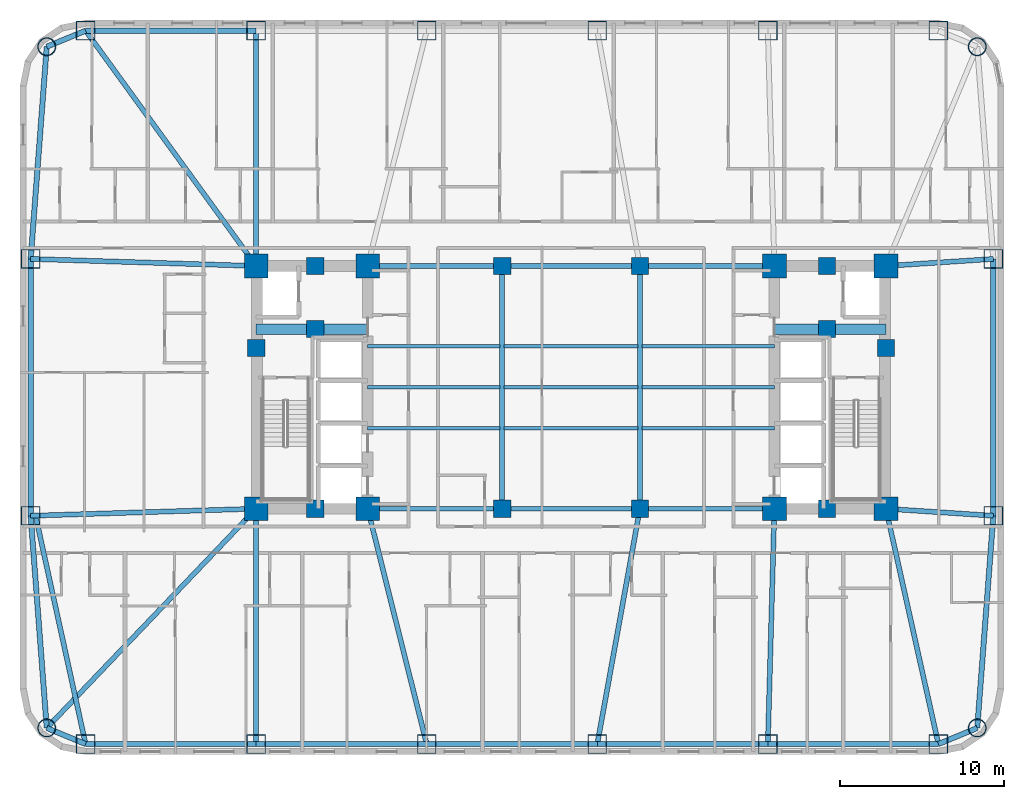
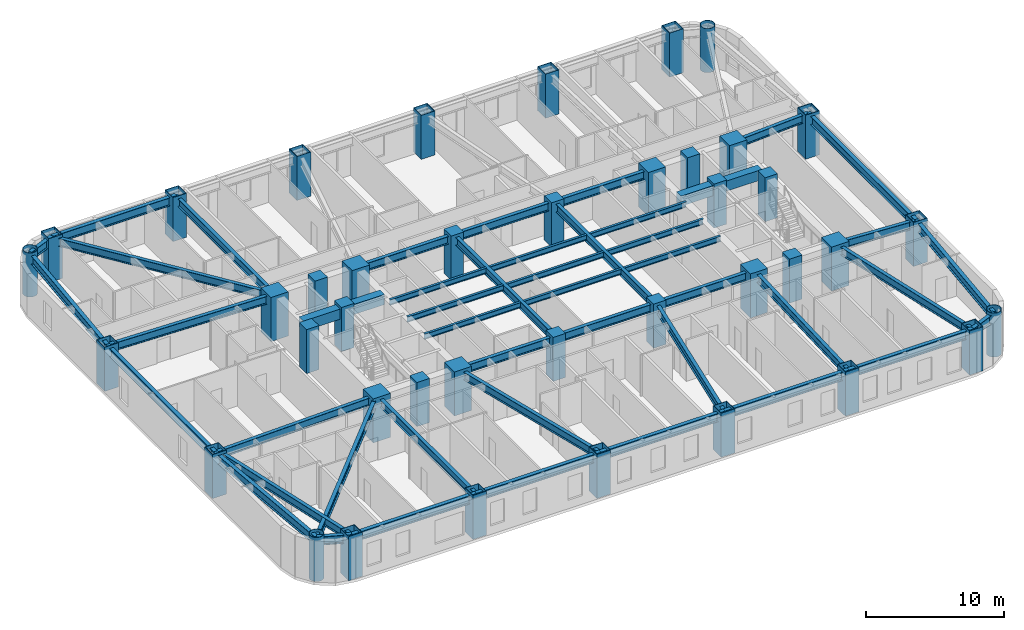
# One storey, part 1 of 11: 46 beams, 40 columns.
"""IFC4 building model written with IfcOpenShell, lengths in metres."""

from ifc_helpers import new_model, si_unit, direction, frame, origin, origin_2d, place, context, subcontext, project, spatial, rectangle, hollow_rectangle, hollow_circle, i_section, extrude, material, material_profile, profile_set, type_object, element, save


model = new_model("IFC4")

# Units and contexts
model_context = context("Model", 3, precision=1e-05, world=origin(), true_north=direction((0.0, 1.0)))
body_context = subcontext(model_context, "Body", "Model", "MODEL_VIEW")
ifc_project = project(units=[si_unit("LENGTHUNIT", "METRE"), si_unit("AREAUNIT", "SQUARE_METRE"), si_unit("VOLUMEUNIT", "CUBIC_METRE"), si_unit("PLANEANGLEUNIT", "RADIAN"), si_unit("MASSUNIT", "GRAM", prefix="KILO")], contexts=[model_context])

# Site, building, storey
site_placement = place(None, origin())
site = spatial("IfcSite", under=ifc_project, at=site_placement, CompositionType="ELEMENT")
building_placement = place(site_placement, origin())
building = spatial("IfcBuilding", under=site, at=building_placement, Name="Voryun Gate Residences", CompositionType="ELEMENT")
storey_placement = place(building_placement, frame((0.0, 0.0, 37.699951171875)))
storey = spatial("IfcBuildingStorey", under=building, at=storey_placement, Name="L08", CompositionType="ELEMENT", Elevation=37.699951171875)

# Columns
ifc_material_1 = material(Name="Concrete C50/60", Category="concrete")
ifc_material_profile_1 = material_profile(ifc_material_1, rectangle(XDim=1.050048828125, YDim=1.050048828125, at=origin_2d()), Name="RC-1050x1050")
ifc_profile_set_1 = profile_set([ifc_material_profile_1], Name="Concrete C50/60")
column_type_1 = type_object("IfcColumnType", Name="COL_CORE_1050", PredefinedType="COLUMN", material=ifc_profile_set_1)
for number, where, z_axis, x_axis, name in (
    (1, (-19.199951171875, 2.39990234375, 0.0), (0.0, 0.0, 1.0), (1.0, 0.0, 0.0), "L08 Core boundary column WC-MW"),
    (2, (-15.60009765625, -7.39990234375, 0.0), (0.0, 0.0, 1.0), (1.0, 0.0, 0.0), "L08 Core boundary column WC-SM"),
    (3, (-15.60009765625, 7.39990234375, 0.0), (0.0, 0.0, 1.0), (1.0, 0.0, 0.0), "L08 Core boundary column WC-NM"),
    (4, (-15.60009765625, 3.550048828125, 0.0), (0.0, 0.0, 1.0), (1.0, 0.0, 0.0), "L08 Core boundary column WC-MM"),
    (5, (15.60009765625, 3.550048828125, 0.0), (0.0, 0.0, 1.0), (1.0, 0.0, 0.0), "L08 Core boundary column EC-MM"),
    (6, (15.60009765625, -7.39990234375, 0.0), (0.0, 0.0, 1.0), (1.0, 0.0, 0.0), "L08 Core boundary column EC-SM"),
    (7, (15.60009765625, 7.39990234375, 0.0), (0.0, 0.0, 1.0), (1.0, 0.0, 0.0), "L08 Core boundary column EC-NM"),
    (8, (19.199951171875, 2.39990234375, 0.0), (0.0, 0.0, 1.0), (1.0, 0.0, 0.0), "L08 Core boundary column EC-ME"),
    (9, (-4.199951171875, -7.39990234375, 0.0), (0.0, 0.0, 1.0), (1.0, 0.0, 0.0), "L08 Interior spine column SP-WS"),
    (10, (-4.199951171875, 7.39990234375, 0.0), (0.0, 0.0, 1.0), (1.0, 0.0, 0.0), "L08 Interior spine column SP-WN"),
    (11, (4.199951171875, -7.39990234375, 0.0), (0.0, 0.0, 1.0), (1.0, 0.0, 0.0), "L08 Interior spine column SP-ES"),
    (12, (4.199951171875, 7.39990234375, 0.0), (0.0, 0.0, 1.0), (1.0, 0.0, 0.0), "L08 Interior spine column SP-EN"),
):
    element("IfcColumn", number, at=place(storey_placement, frame(where, z_axis=z_axis, x_axis=x_axis)), inside=storey, type_object=column_type_1, Name=name, PredefinedType="COLUMN", context=body_context, shape_type="SweptSolid", body=[
        extrude(rectangle(XDim=1.050048828125, YDim=1.050048828125, at=origin_2d()), origin(), (0.0, 0.0, 1.0), 3.900146484375),
    ])
ifc_material_2 = material(Name="Steel SM420", Category="steel")
ifc_material_profile_2 = material_profile(ifc_material_2, hollow_circle(Radius=0.550048828125, WallThickness=0.035888671875, at=origin_2d()), Name="CHS-1100x36")
ifc_profile_set_2 = profile_set([ifc_material_profile_2], Name="Steel SM420")
column_type_2 = type_object("IfcColumnType", Name="COL_CRN_1100", PredefinedType="COLUMN", material=ifc_profile_set_2)
for number, where, z_axis, x_axis, name in (
    (13, (24.768798828125, -20.768798828125, 0.0), (0.0, 0.0, 1.0), (1.0, 0.0, 0.0), "L08 Exoskeleton column CSE"),
    (14, (24.768798828125, 20.768798828125, 0.0), (0.0, 0.0, 1.0), (1.0, 0.0, 0.0), "L08 Exoskeleton column CNE"),
    (15, (-31.96875, 20.768798828125, 0.0), (0.0, 0.0, 1.0), (1.0, 0.0, 0.0), "L08 Exoskeleton column CNW"),
    (16, (-31.96875, -20.768798828125, 0.0), (0.0, 0.0, 1.0), (1.0, 0.0, 0.0), "L08 Exoskeleton column CSW"),
):
    element("IfcColumn", number, at=place(storey_placement, frame(where, z_axis=z_axis, x_axis=x_axis)), inside=storey, type_object=column_type_2, Name=name, PredefinedType="COLUMN", context=body_context, shape_type="SweptSolid", body=[
        extrude(hollow_circle(Radius=0.550048828125, WallThickness=0.035888671875, at=origin_2d()), origin(), (0.0, 0.0, 1.0), 3.900146484375),
    ])
ifc_material_3 = material(Name="Steel SM420", Category="steel")
ifc_material_profile_3 = material_profile(ifc_material_3, hollow_rectangle(XDim=1.14990234375, YDim=1.14990234375, WallThickness=0.0400390625, at=origin_2d()), Name="BOX-1150x1150x40")
ifc_profile_set_3 = profile_set([ifc_material_profile_3], Name="Steel SM420")
column_type_3 = type_object("IfcColumnType", Name="COL_EXO_B1", PredefinedType="COLUMN", material=ifc_profile_set_3)
for number, where, z_axis, x_axis, name in (
    (17, (-29.60009765625, -21.75, 0.0), (0.0, 0.0, 1.0), (1.0, 0.0, 0.0), "L08 Exoskeleton column S1"),
    (18, (-19.199951171875, -21.75, 0.0), (0.0, 0.0, 1.0), (1.0, 0.0, 0.0), "L08 Exoskeleton column S2"),
    (19, (-8.800048828125, -21.75, 0.0), (0.0, 0.0, 1.0), (1.0, 0.0, 0.0), "L08 Exoskeleton column S3"),
    (20, (1.60009765625, -21.75, 0.0), (0.0, 0.0, 1.0), (1.0, 0.0, 0.0), "L08 Exoskeleton column S4"),
    (21, (12.0, -21.75, 0.0), (0.0, 0.0, 1.0), (1.0, 0.0, 0.0), "L08 Exoskeleton column S5"),
    (22, (22.39990234375, -21.75, 0.0), (0.0, 0.0, 1.0), (1.0, 0.0, 0.0), "L08 Exoskeleton column S6"),
    (23, (25.75, -7.830078125, 0.0), (0.0, 0.0, 1.0), (1.0, 0.0, 0.0), "L08 Exoskeleton column E1"),
    (24, (25.75, 7.830078125, 0.0), (0.0, 0.0, 1.0), (1.0, 0.0, 0.0), "L08 Exoskeleton column E2"),
    (25, (22.39990234375, 21.75, 0.0), (0.0, 0.0, 1.0), (1.0, 0.0, 0.0), "L08 Exoskeleton column N1"),
    (26, (12.0, 21.75, 0.0), (0.0, 0.0, 1.0), (1.0, 0.0, 0.0), "L08 Exoskeleton column N2"),
    (27, (1.60009765625, 21.75, 0.0), (0.0, 0.0, 1.0), (1.0, 0.0, 0.0), "L08 Exoskeleton column N3"),
    (28, (-8.800048828125, 21.75, 0.0), (0.0, 0.0, 1.0), (1.0, 0.0, 0.0), "L08 Exoskeleton column N4"),
    (29, (-19.199951171875, 21.75, 0.0), (0.0, 0.0, 1.0), (1.0, 0.0, 0.0), "L08 Exoskeleton column N5"),
    (30, (-29.60009765625, 21.75, 0.0), (0.0, 0.0, 1.0), (1.0, 0.0, 0.0), "L08 Exoskeleton column N6"),
    (31, (-32.949951171875, 7.830078125, 0.0), (0.0, 0.0, 1.0), (1.0, 0.0, 0.0), "L08 Exoskeleton column W1"),
    (32, (-32.949951171875, -7.830078125, 0.0), (0.0, 0.0, 1.0), (1.0, 0.0, 0.0), "L08 Exoskeleton column W2"),
):
    element("IfcColumn", number, at=place(storey_placement, frame(where, z_axis=z_axis, x_axis=x_axis)), inside=storey, type_object=column_type_3, Name=name, PredefinedType="COLUMN", context=body_context, shape_type="SweptSolid", body=[
        extrude(hollow_rectangle(XDim=1.14990234375, YDim=1.14990234375, WallThickness=0.0400390625, at=origin_2d()), origin(), (0.0, 0.0, 1.0), 3.900146484375),
    ])
ifc_material_4 = material(Name="Concrete C60/75", Category="concrete")
ifc_material_profile_4 = material_profile(ifc_material_4, rectangle(XDim=1.449951171875, YDim=1.449951171875, at=origin_2d()), Name="RC-1450x1450")
ifc_profile_set_4 = profile_set([ifc_material_profile_4], Name="Concrete C60/75")
column_type_4 = type_object("IfcColumnType", Name="COL_MEGA_1450", PredefinedType="COLUMN", material=ifc_profile_set_4)
for number, where, z_axis, x_axis, name in (
    (33, (-19.199951171875, -7.39990234375, 0.0), (0.0, 0.0, 1.0), (1.0, 0.0, 0.0), "L08 Core boundary column WC-SW"),
    (34, (-19.199951171875, 7.39990234375, 0.0), (0.0, 0.0, 1.0), (1.0, 0.0, 0.0), "L08 Core boundary column WC-NW"),
    (35, (-12.39990234375, -7.39990234375, 0.0), (0.0, 0.0, 1.0), (1.0, 0.0, 0.0), "L08 Core boundary column WC-SE"),
    (36, (-12.39990234375, 7.39990234375, 0.0), (0.0, 0.0, 1.0), (1.0, 0.0, 0.0), "L08 Core boundary column WC-NE"),
    (37, (12.39990234375, -7.39990234375, 0.0), (0.0, 0.0, 1.0), (1.0, 0.0, 0.0), "L08 Core boundary column EC-SW"),
    (38, (12.39990234375, 7.39990234375, 0.0), (0.0, 0.0, 1.0), (1.0, 0.0, 0.0), "L08 Core boundary column EC-NW"),
    (39, (19.199951171875, -7.39990234375, 0.0), (0.0, 0.0, 1.0), (1.0, 0.0, 0.0), "L08 Core boundary column EC-SE"),
    (40, (19.199951171875, 7.39990234375, 0.0), (0.0, 0.0, 1.0), (1.0, 0.0, 0.0), "L08 Core boundary column EC-NE"),
):
    element("IfcColumn", number, at=place(storey_placement, frame(where, z_axis=z_axis, x_axis=x_axis)), inside=storey, type_object=column_type_4, Name=name, PredefinedType="COLUMN", context=body_context, shape_type="SweptSolid", body=[
        extrude(rectangle(XDim=1.449951171875, YDim=1.449951171875, at=origin_2d()), origin(), (0.0, 0.0, 1.0), 3.900146484375),
    ])

# Beams
ifc_material_5 = material(Name="Concrete C60/75", Category="concrete")
ifc_material_profile_5 = material_profile(ifc_material_5, rectangle(XDim=0.64990234375, YDim=0.89990234375, at=origin_2d()), Name="RC-650x900")
ifc_profile_set_5 = profile_set([ifc_material_profile_5], Name="Concrete C60/75")
beam_type_1 = type_object("IfcBeamType", Name="BM_COUP_RC900", PredefinedType="LINTEL", material=ifc_profile_set_5)
for number, where, z_axis, x_axis, name in (
    (41, (-19.199951171875, 3.550048828125, 3.199951171875), (1.0, 0.0, 0.0), (0.0, 1.0, 0.0), "BM-L08-WC1"),
    (42, (12.39990234375, 3.550048828125, 3.199951171875), (1.0, 0.0, 0.0), (0.0, 1.0, 0.0), "BM-L08-EC1"),
):
    element("IfcBeam", number, at=place(storey_placement, frame(where, z_axis=z_axis, x_axis=x_axis)), inside=storey, type_object=beam_type_1, Name=name, PredefinedType="LINTEL", context=body_context, shape_type="SweptSolid", body=[
        extrude(rectangle(XDim=0.64990234375, YDim=0.89990234375, at=origin_2d()), origin(), (0.0, 0.0, 1.0), 6.800048828125),
    ])
ifc_material_6 = material(Name="Steel SM355", Category="steel")
ifc_material_profile_6 = material_profile(ifc_material_6, i_section(OverallWidth=0.320068359375, OverallDepth=0.75, WebThickness=0.01611328125, FlangeThickness=0.028076171875, FilletRadius=0.01806640625, at=origin_2d()), Name="H-750x320x16x28")
ifc_profile_set_6 = profile_set([ifc_material_profile_6], Name="Steel SM355")
beam_type_2 = type_object("IfcBeamType", Name="BM_EXO_SPANDREL_L", PredefinedType="SPANDREL", material=ifc_profile_set_6)
beam_1_placement = place(storey_placement, frame((-29.60009765625, -21.75, 3.275146484375), z_axis=(1.0, 0.0, 0.0), x_axis=(0.0, 1.0, 0.0)))
element("IfcBeam", 43, at=beam_1_placement, inside=storey, type_object=beam_type_2, Name="BM-L08-SPAND-01", PredefinedType="SPANDREL", context=body_context, shape_type="SweptSolid", body=[
    extrude(i_section(OverallWidth=0.320068359375, OverallDepth=0.75, WebThickness=0.01611328125, FlangeThickness=0.028076171875, FilletRadius=0.01806640625, at=origin_2d()), origin(), (0.0, 0.0, 1.0), 10.400146484375),
])
beam_2_placement = place(storey_placement, frame((-19.199951171875, -21.75, 3.275146484375), z_axis=(1.0, 0.0, 0.0), x_axis=(0.0, 1.0, 0.0)))
element("IfcBeam", 44, at=beam_2_placement, inside=storey, type_object=beam_type_2, Name="BM-L08-SPAND-02", PredefinedType="SPANDREL", context=body_context, shape_type="SweptSolid", body=[
    extrude(i_section(OverallWidth=0.320068359375, OverallDepth=0.75, WebThickness=0.01611328125, FlangeThickness=0.028076171875, FilletRadius=0.01806640625, at=origin_2d()), origin(), (0.0, 0.0, 1.0), 10.39990234375),
])
beam_3_placement = place(storey_placement, frame((-8.800048828125, -21.75, 3.275146484375), z_axis=(1.0, 0.0, 0.0), x_axis=(0.0, 1.0, 0.0)))
element("IfcBeam", 45, at=beam_3_placement, inside=storey, type_object=beam_type_2, Name="BM-L08-SPAND-03", PredefinedType="SPANDREL", context=body_context, shape_type="SweptSolid", body=[
    extrude(i_section(OverallWidth=0.320068359375, OverallDepth=0.75, WebThickness=0.01611328125, FlangeThickness=0.028076171875, FilletRadius=0.01806640625, at=origin_2d()), origin(), (0.0, 0.0, 1.0), 10.400146484375),
])
for number, where, z_axis, x_axis, name in (
    (46, (1.60009765625, -21.75, 3.275146484375), (1.0, 0.0, 0.0), (0.0, 1.0, 0.0), "BM-L08-SPAND-04"),
    (47, (12.0, -21.75, 3.275146484375), (1.0, 0.0, 0.0), (0.0, 1.0, 0.0), "BM-L08-SPAND-05"),
):
    element("IfcBeam", number, at=place(storey_placement, frame(where, z_axis=z_axis, x_axis=x_axis)), inside=storey, type_object=beam_type_2, Name=name, PredefinedType="SPANDREL", context=body_context, shape_type="SweptSolid", body=[
        extrude(i_section(OverallWidth=0.320068359375, OverallDepth=0.75, WebThickness=0.01611328125, FlangeThickness=0.028076171875, FilletRadius=0.01806640625, at=origin_2d()), origin(), (0.0, 0.0, 1.0), 10.39990234375),
    ])
beam_4_placement = place(storey_placement, frame((22.39990234375, -21.75, 3.275146484375), z_axis=(0.923883376753, 0.382674151414, 0.0), x_axis=(-0.382674151414, 0.923883376753, 0.0)))
element("IfcBeam", 48, at=beam_4_placement, inside=storey, type_object=beam_type_2, Name="BM-L08-SPAND-06", PredefinedType="SPANDREL", context=body_context, shape_type="SweptSolid", body=[
    extrude(i_section(OverallWidth=0.320068359375, OverallDepth=0.75, WebThickness=0.01611328125, FlangeThickness=0.028076171875, FilletRadius=0.01806640625, at=origin_2d()), origin(), (0.0, 0.0, 1.0), 2.56396484375),
])
beam_5_placement = place(storey_placement, frame((24.768798828125, -20.768798828125, 3.275146484375), z_axis=(0.075617360159, 0.997136908776, 0.0), x_axis=(-0.997136908776, 0.075617360159, 0.0)))
element("IfcBeam", 49, at=beam_5_placement, inside=storey, type_object=beam_type_2, Name="BM-L08-SPAND-07", PredefinedType="SPANDREL", context=body_context, shape_type="SweptSolid", body=[
    extrude(i_section(OverallWidth=0.320068359375, OverallDepth=0.75, WebThickness=0.01611328125, FlangeThickness=0.028076171875, FilletRadius=0.01806640625, at=origin_2d()), origin(), (0.0, 0.0, 1.0), 12.975830078125),
])
beam_6_placement = place(storey_placement, frame((25.75, -7.830078125, 3.275146484375), z_axis=(0.0, 1.0, 0.0), x_axis=(-1.0, 0.0, 0.0)))
element("IfcBeam", 50, at=beam_6_placement, inside=storey, type_object=beam_type_2, Name="BM-L08-SPAND-08", PredefinedType="SPANDREL", context=body_context, shape_type="SweptSolid", body=[
    extrude(i_section(OverallWidth=0.320068359375, OverallDepth=0.75, WebThickness=0.01611328125, FlangeThickness=0.028076171875, FilletRadius=0.01806640625, at=origin_2d()), origin(), (0.0, 0.0, 1.0), 15.66015625),
])
beam_7_placement = place(storey_placement, frame((-19.199951171875, 21.75, 3.275146484375), z_axis=(-1.0, 0.0, 0.0), x_axis=(0.0, -1.0, 0.0)))
element("IfcBeam", 51, at=beam_7_placement, inside=storey, type_object=beam_type_2, Name="BM-L08-SPAND-15", PredefinedType="SPANDREL", context=body_context, shape_type="SweptSolid", body=[
    extrude(i_section(OverallWidth=0.320068359375, OverallDepth=0.75, WebThickness=0.01611328125, FlangeThickness=0.028076171875, FilletRadius=0.01806640625, at=origin_2d()), origin(), (0.0, 0.0, 1.0), 10.400146484375),
])
beam_8_placement = place(storey_placement, frame((-29.60009765625, 21.75, 3.275146484375), z_axis=(-0.92386943149, -0.382707817477, 0.0), x_axis=(0.382707817477, -0.92386943149, 0.0)))
element("IfcBeam", 52, at=beam_8_placement, inside=storey, type_object=beam_type_2, Name="BM-L08-SPAND-16", PredefinedType="SPANDREL", context=body_context, shape_type="SweptSolid", body=[
    extrude(i_section(OverallWidth=0.320068359375, OverallDepth=0.75, WebThickness=0.01611328125, FlangeThickness=0.028076171875, FilletRadius=0.01806640625, at=origin_2d()), origin(), (0.0, 0.0, 1.0), 2.563720703125),
])
beam_9_placement = place(storey_placement, frame((-31.96875, 20.768798828125, 3.275146484375), z_axis=(-0.075617360159, -0.997136908776, 0.0), x_axis=(0.997136908776, -0.075617360159, 0.0)))
element("IfcBeam", 53, at=beam_9_placement, inside=storey, type_object=beam_type_2, Name="BM-L08-SPAND-17", PredefinedType="SPANDREL", context=body_context, shape_type="SweptSolid", body=[
    extrude(i_section(OverallWidth=0.320068359375, OverallDepth=0.75, WebThickness=0.01611328125, FlangeThickness=0.028076171875, FilletRadius=0.01806640625, at=origin_2d()), origin(), (0.0, 0.0, 1.0), 12.975830078125),
])
beam_10_placement = place(storey_placement, frame((-32.949951171875, 7.830078125, 3.275146484375), z_axis=(0.0, -1.0, 0.0), x_axis=(1.0, 0.0, 0.0)))
element("IfcBeam", 54, at=beam_10_placement, inside=storey, type_object=beam_type_2, Name="BM-L08-SPAND-18", PredefinedType="SPANDREL", context=body_context, shape_type="SweptSolid", body=[
    extrude(i_section(OverallWidth=0.320068359375, OverallDepth=0.75, WebThickness=0.01611328125, FlangeThickness=0.028076171875, FilletRadius=0.01806640625, at=origin_2d()), origin(), (0.0, 0.0, 1.0), 15.66015625),
])
beam_11_placement = place(storey_placement, frame((-32.949951171875, -7.830078125, 3.275146484375), z_axis=(0.075617360159, -0.997136908776, 0.0), x_axis=(0.997136908776, 0.075617360159, 0.0)))
element("IfcBeam", 55, at=beam_11_placement, inside=storey, type_object=beam_type_2, Name="BM-L08-SPAND-19", PredefinedType="SPANDREL", context=body_context, shape_type="SweptSolid", body=[
    extrude(i_section(OverallWidth=0.320068359375, OverallDepth=0.75, WebThickness=0.01611328125, FlangeThickness=0.028076171875, FilletRadius=0.01806640625, at=origin_2d()), origin(), (0.0, 0.0, 1.0), 12.975830078125),
])
beam_12_placement = place(storey_placement, frame((-31.96875, -20.768798828125, 3.275146484375), z_axis=(0.92386943149, -0.382707817477, 0.0), x_axis=(0.382707817477, 0.92386943149, 0.0)))
element("IfcBeam", 56, at=beam_12_placement, inside=storey, type_object=beam_type_2, Name="BM-L08-SPAND-20", PredefinedType="SPANDREL", context=body_context, shape_type="SweptSolid", body=[
    extrude(i_section(OverallWidth=0.320068359375, OverallDepth=0.75, WebThickness=0.01611328125, FlangeThickness=0.028076171875, FilletRadius=0.01806640625, at=origin_2d()), origin(), (0.0, 0.0, 1.0), 2.563720703125),
])
ifc_material_7 = material(Name="Steel SM355", Category="steel")
ifc_material_profile_7 = material_profile(ifc_material_7, i_section(OverallWidth=0.300048828125, OverallDepth=0.699951171875, WebThickness=0.012939453125, FlangeThickness=0.02392578125, FilletRadius=0.01806640625, at=origin_2d()), Name="H-700x300x13x24")
ifc_profile_set_7 = profile_set([ifc_material_profile_7], Name="Steel SM355")
beam_type_3 = type_object("IfcBeamType", Name="BM_GIRD_700", PredefinedType="USERDEFINED", material=ifc_profile_set_7)
beam_13_placement = place(storey_placement, frame((-12.39990234375, -7.39990234375, 3.300048828125), z_axis=(1.0, 0.0, 0.0), x_axis=(0.0, 1.0, 0.0)))
element("IfcBeam", 57, at=beam_13_placement, inside=storey, type_object=beam_type_3, Name="BM-L08-SPG1-S", ObjectType="GIRDER", PredefinedType="USERDEFINED", context=body_context, shape_type="SweptSolid", body=[
    extrude(i_section(OverallWidth=0.300048828125, OverallDepth=0.699951171875, WebThickness=0.012939453125, FlangeThickness=0.02392578125, FilletRadius=0.01806640625, at=origin_2d()), origin(), (0.0, 0.0, 1.0), 8.199951171875),
])
beam_14_placement = place(storey_placement, frame((-4.199951171875, -7.39990234375, 3.300048828125), z_axis=(1.0, 0.0, 0.0), x_axis=(0.0, 1.0, 0.0)))
element("IfcBeam", 58, at=beam_14_placement, inside=storey, type_object=beam_type_3, Name="BM-L08-SPG2-S", ObjectType="GIRDER", PredefinedType="USERDEFINED", context=body_context, shape_type="SweptSolid", body=[
    extrude(i_section(OverallWidth=0.300048828125, OverallDepth=0.699951171875, WebThickness=0.012939453125, FlangeThickness=0.02392578125, FilletRadius=0.01806640625, at=origin_2d()), origin(), (0.0, 0.0, 1.0), 8.39990234375),
])
for number, where, z_axis, x_axis, name in (
    (59, (4.199951171875, -7.39990234375, 3.300048828125), (1.0, 0.0, 0.0), (0.0, 1.0, 0.0), "BM-L08-SPG3-S"),
    (60, (-12.39990234375, 7.39990234375, 3.300048828125), (1.0, 0.0, 0.0), (0.0, 1.0, 0.0), "BM-L08-SPG1-N"),
):
    element("IfcBeam", number, at=place(storey_placement, frame(where, z_axis=z_axis, x_axis=x_axis)), inside=storey, type_object=beam_type_3, Name=name, ObjectType="GIRDER", PredefinedType="USERDEFINED", context=body_context, shape_type="SweptSolid", body=[
        extrude(i_section(OverallWidth=0.300048828125, OverallDepth=0.699951171875, WebThickness=0.012939453125, FlangeThickness=0.02392578125, FilletRadius=0.01806640625, at=origin_2d()), origin(), (0.0, 0.0, 1.0), 8.199951171875),
    ])
beam_15_placement = place(storey_placement, frame((-4.199951171875, 7.39990234375, 3.300048828125), z_axis=(1.0, 0.0, 0.0), x_axis=(0.0, 1.0, 0.0)))
element("IfcBeam", 61, at=beam_15_placement, inside=storey, type_object=beam_type_3, Name="BM-L08-SPG2-N", ObjectType="GIRDER", PredefinedType="USERDEFINED", context=body_context, shape_type="SweptSolid", body=[
    extrude(i_section(OverallWidth=0.300048828125, OverallDepth=0.699951171875, WebThickness=0.012939453125, FlangeThickness=0.02392578125, FilletRadius=0.01806640625, at=origin_2d()), origin(), (0.0, 0.0, 1.0), 8.39990234375),
])
beam_16_placement = place(storey_placement, frame((4.199951171875, 7.39990234375, 3.300048828125), z_axis=(1.0, 0.0, 0.0), x_axis=(0.0, 1.0, 0.0)))
element("IfcBeam", 62, at=beam_16_placement, inside=storey, type_object=beam_type_3, Name="BM-L08-SPG3-N", ObjectType="GIRDER", PredefinedType="USERDEFINED", context=body_context, shape_type="SweptSolid", body=[
    extrude(i_section(OverallWidth=0.300048828125, OverallDepth=0.699951171875, WebThickness=0.012939453125, FlangeThickness=0.02392578125, FilletRadius=0.01806640625, at=origin_2d()), origin(), (0.0, 0.0, 1.0), 8.199951171875),
])
for number, where, z_axis, x_axis, name in (
    (63, (-4.199951171875, -7.39990234375, 3.300048828125), (0.0, 1.0, 0.0), (-1.0, 0.0, 0.0), "BM-L08-SPX-W"),
    (64, (4.199951171875, -7.39990234375, 3.300048828125), (0.0, 1.0, 0.0), (-1.0, 0.0, 0.0), "BM-L08-SPX-E"),
):
    element("IfcBeam", number, at=place(storey_placement, frame(where, z_axis=z_axis, x_axis=x_axis)), inside=storey, type_object=beam_type_3, Name=name, ObjectType="GIRDER", PredefinedType="USERDEFINED", context=body_context, shape_type="SweptSolid", body=[
        extrude(i_section(OverallWidth=0.300048828125, OverallDepth=0.699951171875, WebThickness=0.012939453125, FlangeThickness=0.02392578125, FilletRadius=0.01806640625, at=origin_2d()), origin(), (0.0, 0.0, 1.0), 14.7998046875),
    ])
beam_17_placement = place(storey_placement, frame((-32.64990234375, -7.830078125, 3.300048828125), z_axis=(0.214019782918, -0.976829326198, 0.0), x_axis=(0.976829326198, 0.214019782918, 0.0)))
element("IfcBeam", 65, at=beam_17_placement, inside=storey, type_object=beam_type_3, Name="BM-L08-RAD-S1", ObjectType="GIRDER", PredefinedType="USERDEFINED", context=body_context, shape_type="SweptSolid", body=[
    extrude(i_section(OverallWidth=0.300048828125, OverallDepth=0.699951171875, WebThickness=0.012939453125, FlangeThickness=0.02392578125, FilletRadius=0.01806640625, at=origin_2d()), origin(), (0.0, 0.0, 1.0), 14.25),
])
beam_18_placement = place(storey_placement, frame((-19.199951171875, -7.39990234375, 3.300048828125), z_axis=(0.0, -1.0, 0.0), x_axis=(1.0, 0.0, 0.0)))
element("IfcBeam", 66, at=beam_18_placement, inside=storey, type_object=beam_type_3, Name="BM-L08-RAD-S2", ObjectType="GIRDER", PredefinedType="USERDEFINED", context=body_context, shape_type="SweptSolid", body=[
    extrude(i_section(OverallWidth=0.300048828125, OverallDepth=0.699951171875, WebThickness=0.012939453125, FlangeThickness=0.02392578125, FilletRadius=0.01806640625, at=origin_2d()), origin(), (0.0, 0.0, 1.0), 14.35009765625),
])
beam_19_placement = place(storey_placement, frame((-12.39990234375, -7.39990234375, 3.300048828125), z_axis=(0.243319869291, -0.969946102218, 0.0), x_axis=(0.969946102218, 0.243319869291, 0.0)))
element("IfcBeam", 67, at=beam_19_placement, inside=storey, type_object=beam_type_3, Name="BM-L08-RAD-S3", ObjectType="GIRDER", PredefinedType="USERDEFINED", context=body_context, shape_type="SweptSolid", body=[
    extrude(i_section(OverallWidth=0.300048828125, OverallDepth=0.699951171875, WebThickness=0.012939453125, FlangeThickness=0.02392578125, FilletRadius=0.01806640625, at=origin_2d()), origin(), (0.0, 0.0, 1.0), 14.794677734375),
])
beam_20_placement = place(storey_placement, frame((4.199951171875, -7.39990234375, 3.300048828125), z_axis=(-0.178271088758, -0.983981411874, 0.0), x_axis=(0.983981411874, -0.178271088758, 0.0)))
element("IfcBeam", 68, at=beam_20_placement, inside=storey, type_object=beam_type_3, Name="BM-L08-RAD-S4", ObjectType="GIRDER", PredefinedType="USERDEFINED", context=body_context, shape_type="SweptSolid", body=[
    extrude(i_section(OverallWidth=0.300048828125, OverallDepth=0.699951171875, WebThickness=0.012939453125, FlangeThickness=0.02392578125, FilletRadius=0.01806640625, at=origin_2d()), origin(), (0.0, 0.0, 1.0), 14.583740234375),
])
beam_21_placement = place(storey_placement, frame((12.39990234375, -7.39990234375, 3.300048828125), z_axis=(-0.0278567548, -0.999611925305, 0.0), x_axis=(0.999611925305, -0.0278567548, 0.0)))
element("IfcBeam", 69, at=beam_21_placement, inside=storey, type_object=beam_type_3, Name="BM-L08-RAD-S5", ObjectType="GIRDER", PredefinedType="USERDEFINED", context=body_context, shape_type="SweptSolid", body=[
    extrude(i_section(OverallWidth=0.300048828125, OverallDepth=0.699951171875, WebThickness=0.012939453125, FlangeThickness=0.02392578125, FilletRadius=0.01806640625, at=origin_2d()), origin(), (0.0, 0.0, 1.0), 14.355712890625),
])
beam_22_placement = place(storey_placement, frame((19.199951171875, -7.39990234375, 3.300048828125), z_axis=(0.217645991352, -0.976027777498, 0.0), x_axis=(0.976027777498, 0.217645991352, 0.0)))
element("IfcBeam", 70, at=beam_22_placement, inside=storey, type_object=beam_type_3, Name="BM-L08-RAD-S6", ObjectType="GIRDER", PredefinedType="USERDEFINED", context=body_context, shape_type="SweptSolid", body=[
    extrude(i_section(OverallWidth=0.300048828125, OverallDepth=0.699951171875, WebThickness=0.012939453125, FlangeThickness=0.02392578125, FilletRadius=0.01806640625, at=origin_2d()), origin(), (0.0, 0.0, 1.0), 14.70263671875),
])
for number, where, z_axis, x_axis, name in (
    (71, (19.199951171875, -7.39990234375, 3.300048828125), (0.997850335415, -0.06553402255, 0.0), (0.06553402255, 0.997850335415, 0.0), "BM-L08-RAD-E1"),
    (72, (19.199951171875, 7.39990234375, 3.300048828125), (0.997850335415, 0.06553402255, 0.0), (-0.06553402255, 0.997850335415, 0.0), "BM-L08-RAD-E2"),
):
    element("IfcBeam", number, at=place(storey_placement, frame(where, z_axis=z_axis, x_axis=x_axis)), inside=storey, type_object=beam_type_3, Name=name, ObjectType="GIRDER", PredefinedType="USERDEFINED", context=body_context, shape_type="SweptSolid", body=[
        extrude(i_section(OverallWidth=0.300048828125, OverallDepth=0.699951171875, WebThickness=0.012939453125, FlangeThickness=0.02392578125, FilletRadius=0.01806640625, at=origin_2d()), origin(), (0.0, 0.0, 1.0), 6.564208984375),
    ])
beam_23_placement = place(storey_placement, frame((-19.199951171875, 7.39990234375, 3.300048828125), z_axis=(0.0, 1.0, 0.0), x_axis=(-1.0, 0.0, 0.0)))
element("IfcBeam", 73, at=beam_23_placement, inside=storey, type_object=beam_type_3, Name="BM-L08-RAD-N5", ObjectType="GIRDER", PredefinedType="USERDEFINED", context=body_context, shape_type="SweptSolid", body=[
    extrude(i_section(OverallWidth=0.300048828125, OverallDepth=0.699951171875, WebThickness=0.012939453125, FlangeThickness=0.02392578125, FilletRadius=0.01806640625, at=origin_2d()), origin(), (0.0, 0.0, 1.0), 14.35009765625),
])
beam_24_placement = place(storey_placement, frame((-19.199951171875, 7.39990234375, 3.300048828125), z_axis=(-0.586831668391, 0.80970895572, 0.0), x_axis=(-0.80970895572, -0.586831668391, 0.0)))
element("IfcBeam", 74, at=beam_24_placement, inside=storey, type_object=beam_type_3, Name="BM-L08-RAD-N6", ObjectType="GIRDER", PredefinedType="USERDEFINED", context=body_context, shape_type="SweptSolid", body=[
    extrude(i_section(OverallWidth=0.300048828125, OverallDepth=0.699951171875, WebThickness=0.012939453125, FlangeThickness=0.02392578125, FilletRadius=0.01806640625, at=origin_2d()), origin(), (0.0, 0.0, 1.0), 17.72265625),
])
for number, where, z_axis, x_axis, name in (
    (75, (-19.199951171875, 7.39990234375, 3.300048828125), (-0.999510967353, 0.031270211727, 0.0), (-0.031270211727, -0.999510967353, 0.0), "BM-L08-RAD-W1"),
    (76, (-19.199951171875, -7.39990234375, 3.300048828125), (-0.999510967353, -0.031270211727, 0.0), (0.031270211727, -0.999510967353, 0.0), "BM-L08-RAD-W2"),
):
    element("IfcBeam", number, at=place(storey_placement, frame(where, z_axis=z_axis, x_axis=x_axis)), inside=storey, type_object=beam_type_3, Name=name, ObjectType="GIRDER", PredefinedType="USERDEFINED", context=body_context, shape_type="SweptSolid", body=[
        extrude(i_section(OverallWidth=0.300048828125, OverallDepth=0.699951171875, WebThickness=0.012939453125, FlangeThickness=0.02392578125, FilletRadius=0.01806640625, at=origin_2d()), origin(), (0.0, 0.0, 1.0), 13.7568359375),
    ])
beam_25_placement = place(storey_placement, frame((-19.199951171875, -7.39990234375, 3.300048828125), z_axis=(-0.69069023987, -0.723150739852, 0.0), x_axis=(0.723150739852, -0.69069023987, 0.0)))
element("IfcBeam", 77, at=beam_25_placement, inside=storey, type_object=beam_type_3, Name="BM-L08-RAD-CSW", ObjectType="GIRDER", PredefinedType="USERDEFINED", context=body_context, shape_type="SweptSolid", body=[
    extrude(i_section(OverallWidth=0.300048828125, OverallDepth=0.699951171875, WebThickness=0.012939453125, FlangeThickness=0.02392578125, FilletRadius=0.01806640625, at=origin_2d()), origin(), (0.0, 0.0, 1.0), 18.487060546875),
])
ifc_material_8 = material(Name="Steel SM355", Category="steel")
ifc_material_profile_8 = material_profile(ifc_material_8, i_section(OverallWidth=0.199951171875, OverallDepth=0.47998046875, WebThickness=0.010009765625, FlangeThickness=0.01806640625, FilletRadius=0.01806640625, at=origin_2d()), Name="H-480x200x10x18")
ifc_profile_set_8 = profile_set([ifc_material_profile_8], Name="Steel SM355")
beam_type_4 = type_object("IfcBeamType", Name="BM_SEC_480", PredefinedType="BEAM", material=ifc_profile_set_8)
beam_26_placement = place(storey_placement, frame((-12.39990234375, -2.5, 3.41015625), z_axis=(1.0, 0.0, 0.0), x_axis=(0.0, 1.0, 0.0)))
element("IfcBeam", 78, at=beam_26_placement, inside=storey, type_object=beam_type_4, Name="BM-L08-SEC-CS1", PredefinedType="BEAM", context=body_context, shape_type="SweptSolid", body=[
    extrude(i_section(OverallWidth=0.199951171875, OverallDepth=0.47998046875, WebThickness=0.010009765625, FlangeThickness=0.01806640625, FilletRadius=0.01806640625, at=origin_2d()), origin(), (0.0, 0.0, 1.0), 8.074951171875),
])
beam_27_placement = place(storey_placement, frame((-4.074951171875, -2.5, 3.41015625), z_axis=(1.0, 0.0, 0.0), x_axis=(0.0, 1.0, 0.0)))
element("IfcBeam", 79, at=beam_27_placement, inside=storey, type_object=beam_type_4, Name="BM-L08-SEC-CS2", PredefinedType="BEAM", context=body_context, shape_type="SweptSolid", body=[
    extrude(i_section(OverallWidth=0.199951171875, OverallDepth=0.47998046875, WebThickness=0.010009765625, FlangeThickness=0.01806640625, FilletRadius=0.01806640625, at=origin_2d()), origin(), (0.0, 0.0, 1.0), 8.14990234375),
])
for number, where, z_axis, x_axis, name in (
    (80, (4.324951171875, -2.5, 3.41015625), (1.0, 0.0, 0.0), (0.0, 1.0, 0.0), "BM-L08-SEC-CS3"),
    (81, (-12.39990234375, 0.0, 3.41015625), (1.0, 0.0, 0.0), (0.0, 1.0, 0.0), "BM-L08-SEC-CM1"),
):
    element("IfcBeam", number, at=place(storey_placement, frame(where, z_axis=z_axis, x_axis=x_axis)), inside=storey, type_object=beam_type_4, Name=name, PredefinedType="BEAM", context=body_context, shape_type="SweptSolid", body=[
        extrude(i_section(OverallWidth=0.199951171875, OverallDepth=0.47998046875, WebThickness=0.010009765625, FlangeThickness=0.01806640625, FilletRadius=0.01806640625, at=origin_2d()), origin(), (0.0, 0.0, 1.0), 8.074951171875),
    ])
beam_28_placement = place(storey_placement, frame((-4.074951171875, 0.0, 3.41015625), z_axis=(1.0, 0.0, 0.0), x_axis=(0.0, 1.0, 0.0)))
element("IfcBeam", 82, at=beam_28_placement, inside=storey, type_object=beam_type_4, Name="BM-L08-SEC-CM2", PredefinedType="BEAM", context=body_context, shape_type="SweptSolid", body=[
    extrude(i_section(OverallWidth=0.199951171875, OverallDepth=0.47998046875, WebThickness=0.010009765625, FlangeThickness=0.01806640625, FilletRadius=0.01806640625, at=origin_2d()), origin(), (0.0, 0.0, 1.0), 8.14990234375),
])
for number, where, z_axis, x_axis, name in (
    (83, (4.324951171875, 0.0, 3.41015625), (1.0, 0.0, 0.0), (0.0, 1.0, 0.0), "BM-L08-SEC-CM3"),
    (84, (-12.39990234375, 2.5, 3.41015625), (1.0, 0.0, 0.0), (0.0, 1.0, 0.0), "BM-L08-SEC-CN1"),
):
    element("IfcBeam", number, at=place(storey_placement, frame(where, z_axis=z_axis, x_axis=x_axis)), inside=storey, type_object=beam_type_4, Name=name, PredefinedType="BEAM", context=body_context, shape_type="SweptSolid", body=[
        extrude(i_section(OverallWidth=0.199951171875, OverallDepth=0.47998046875, WebThickness=0.010009765625, FlangeThickness=0.01806640625, FilletRadius=0.01806640625, at=origin_2d()), origin(), (0.0, 0.0, 1.0), 8.074951171875),
    ])
beam_29_placement = place(storey_placement, frame((-4.074951171875, 2.5, 3.41015625), z_axis=(1.0, 0.0, 0.0), x_axis=(0.0, 1.0, 0.0)))
element("IfcBeam", 85, at=beam_29_placement, inside=storey, type_object=beam_type_4, Name="BM-L08-SEC-CN2", PredefinedType="BEAM", context=body_context, shape_type="SweptSolid", body=[
    extrude(i_section(OverallWidth=0.199951171875, OverallDepth=0.47998046875, WebThickness=0.010009765625, FlangeThickness=0.01806640625, FilletRadius=0.01806640625, at=origin_2d()), origin(), (0.0, 0.0, 1.0), 8.14990234375),
])
beam_30_placement = place(storey_placement, frame((4.324951171875, 2.5, 3.41015625), z_axis=(1.0, 0.0, 0.0), x_axis=(0.0, 1.0, 0.0)))
element("IfcBeam", 86, at=beam_30_placement, inside=storey, type_object=beam_type_4, Name="BM-L08-SEC-CN3", PredefinedType="BEAM", context=body_context, shape_type="SweptSolid", body=[
    extrude(i_section(OverallWidth=0.199951171875, OverallDepth=0.47998046875, WebThickness=0.010009765625, FlangeThickness=0.01806640625, FilletRadius=0.01806640625, at=origin_2d()), origin(), (0.0, 0.0, 1.0), 8.074951171875),
])

save(model, "model.ifc")
